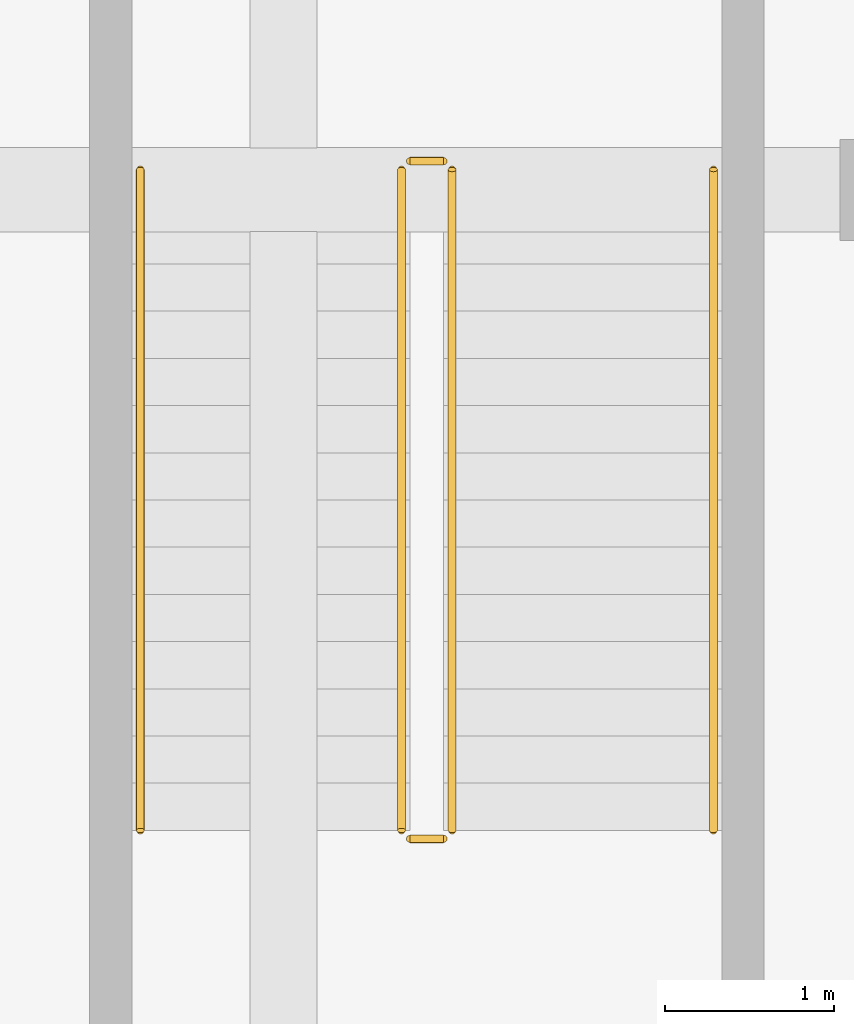
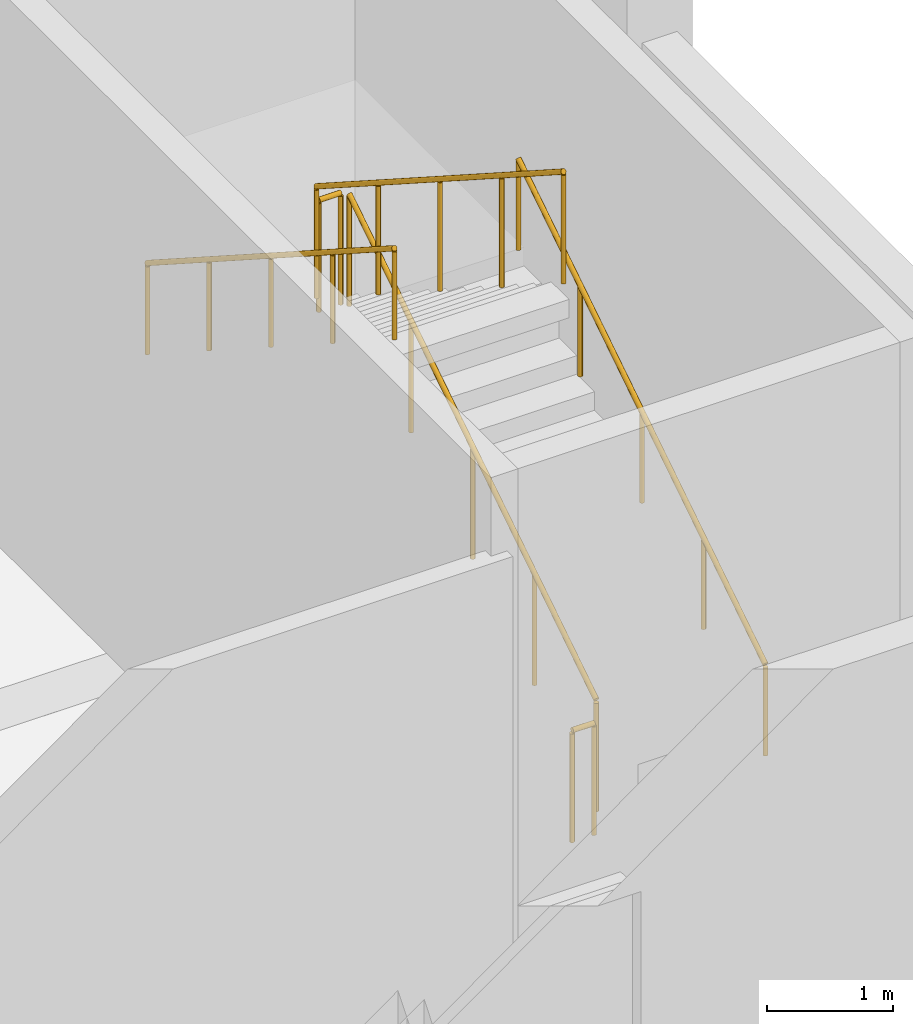
# One storey, part 37 of 41: 6 railings.
"""IFC4 building model written with IfcOpenShell, lengths in metres."""

import ifcopenshell
import ifcopenshell.guid

model = None  # the IFC model being written
_history = None  # IfcOwnerHistory: only IFC2X3 demands one
_inside = {}  # id of a spatial element -> (the spatial element, [elements in it])
_under = {}  # id of a project, library or spatial element -> (it, [spatial elements below it])
_declared = {}  # id of a project -> (the project, [libraries it declares])
_typed = {}  # id of a type object -> (the type object, [elements of that type])
_made_of = {}  # id of a material, layer set ... -> (it, [elements and type objects made of it])


def new_model(schema):
    """Start an empty IFC model of exactly this schema.

    Asked for "IFC4X3", IfcOpenShell would pick the latest addendum, in which some entities
    have other attributes; the version numbers below select the first issue.
    IFC2X3 requires an IfcOwnerHistory on every rooted entity: one is made here for all.
    """
    global model, _history
    if schema == "IFC4X3":
        model = ifcopenshell.file(schema_version=(4, 3, 0, 0))
    else:
        model = ifcopenshell.file(schema=schema)
    _inside.clear()
    _under.clear()
    _declared.clear()
    _typed.clear()
    _made_of.clear()
    _history = None
    if model.schema == "IFC2X3":
        org = make("IfcOrganization", Name="unknown")
        user = make(
            "IfcPersonAndOrganization",
            ThePerson=make("IfcPerson", FamilyName="unknown"),
            TheOrganization=org,
        )
        app = make(
            "IfcApplication",
            ApplicationDeveloper=org,
            Version="unknown",
            ApplicationFullName="unknown",
            ApplicationIdentifier="unknown",
        )
        _history = make(
            "IfcOwnerHistory",
            OwningUser=user,
            OwningApplication=app,
            ChangeAction="ADDED",
            CreationDate=0,
        )
    return model


def make(cls, **values):
    """One entity of the class cls with the attributes given. An attribute that is None is left unset."""
    return model.create_entity(
        cls, **{name: value for name, value in values.items() if value is not None}
    )


def rooted(cls, **values):
    """An entity with a GlobalId (a new one), such as an element, a storey or a relation."""
    return make(cls, GlobalId=ifcopenshell.guid.new(), OwnerHistory=_history, **values)


def si_unit(unit_type, name, prefix=None):
    """IfcSIUnit, for example si_unit("LENGTHUNIT", "METRE", prefix="MILLI")."""
    return make("IfcSIUnit", UnitType=unit_type, Prefix=prefix, Name=name)


def assignment(units):
    """IfcUnitAssignment: the units of a project."""
    return None if units is None else make("IfcUnitAssignment", Units=units)


def point(xyz):
    """IfcCartesianPoint."""
    return None if xyz is None else make("IfcCartesianPoint", Coordinates=xyz)


def direction(xyz):
    """IfcDirection."""
    return None if xyz is None else make("IfcDirection", DirectionRatios=xyz)


def frame(location, z_axis=None, x_axis=None):
    """IfcAxis2Placement3D, a coordinate frame: its origin and axes. An axis left out is left unset."""
    return make(
        "IfcAxis2Placement3D",
        Location=point(location),
        Axis=direction(z_axis),
        RefDirection=direction(x_axis),
    )


def frame_2d(location, x_axis=None):
    """IfcAxis2Placement2D, a coordinate frame in the plane: its origin and x axis."""
    return make(
        "IfcAxis2Placement2D", Location=point(location), RefDirection=direction(x_axis)
    )


def origin():
    """The frame at (0, 0, 0) with its axes left unset."""
    return frame((0.0, 0.0, 0.0))


def origin_2d():
    """The frame at (0, 0) in the plane with its x axis left unset."""
    return frame_2d((0.0, 0.0))


def place(relative_to, where):
    """IfcLocalPlacement: puts the frame where relative to a parent placement (None: the world)."""
    return make(
        "IfcLocalPlacement", PlacementRelTo=relative_to, RelativePlacement=where
    )


def context(
    kind, dimensions, precision=None, world=None, true_north=None, identifier=None
):
    """IfcGeometricRepresentationContext, for example the 3D "Model" context."""
    return make(
        "IfcGeometricRepresentationContext",
        ContextIdentifier=identifier,
        ContextType=kind,
        CoordinateSpaceDimension=dimensions,
        Precision=precision,
        WorldCoordinateSystem=world,
        TrueNorth=true_north,
    )


def subcontext(parent, identifier, kind, view, scale=None):
    """IfcGeometricRepresentationSubContext, for example "Body" below "Model"."""
    return make(
        "IfcGeometricRepresentationSubContext",
        ContextIdentifier=identifier,
        ContextType=kind,
        ParentContext=parent,
        TargetScale=scale,
        TargetView=view,
    )


def project(units=None, contexts=None):
    """IfcProject with its units and contexts."""
    return rooted(
        "IfcProject",
        Name="project",
        RepresentationContexts=contexts,
        UnitsInContext=assignment(units),
    )


def spatial(cls, under=None, at=None, **own):
    """A site, building, storey or space (cls), placed at a placement, below another one or the project."""
    s = rooted(cls, ObjectPlacement=at, **own)
    if under is not None:
        _under.setdefault(under.id(), (under, []))[1].append(s)
    return s


def profile(cls, at=None, kind="AREA", **sizes):
    """A parametric profile (cls). Its sizes go by their IFC names, for example OverallWidth=200.0."""
    return make(cls, ProfileType=kind, Position=at, **sizes)


def circle(**sizes):
    """IfcCircleProfileDef."""
    return profile("IfcCircleProfileDef", **sizes)


def extrude(swept, where, along, depth):
    """IfcExtrudedAreaSolid: the profile swept, set in the frame where, extruded along a direction by depth."""
    return make(
        "IfcExtrudedAreaSolid",
        SweptArea=swept,
        Position=where,
        ExtrudedDirection=direction(along),
        Depth=depth,
    )


def shape(context_of_items, identifier, shape_type, items):
    """IfcShapeRepresentation: the items that make up one representation, for example the "Body"."""
    return make(
        "IfcShapeRepresentation",
        ContextOfItems=context_of_items,
        RepresentationIdentifier=identifier,
        RepresentationType=shape_type,
        Items=items,
    )


def material(Name=None, Category=None):
    """IfcMaterial."""
    return make("IfcMaterial", Name=Name, Category=Category)


def made_of(thing, what):
    """Note that an element or type object is made of a material, layer set ...; save() writes the relation."""
    if what is not None:
        _made_of.setdefault(what.id(), (what, []))[1].append(thing)
    return thing


def type_object(cls, material=None, **own):
    """A type object (cls), such as IfcWallType, which elements share."""
    return made_of(rooted(cls, **own), material)


def element(
    cls,
    number,
    at=None,
    inside=None,
    cuts=None,
    type_object=None,
    material=None,
    context=None,
    identifier="Body",
    shape_type=None,
    held_by="IfcProductDefinitionShape",
    body=None,
    shapes=None,
    **own,
):
    """One element of the class cls, such as IfcWall. Its Tag is "e" and its number.

    at: its placement. inside: the storey or other place that contains it. cuts: it is an
    opening in that element (IfcRelVoidsElement). A single representation is given by context,
    identifier, shape_type and body (its items); several are given by shapes. held_by: the class
    of the entity that holds the representations. save() writes the other relations.
    """
    e = rooted(cls, Tag="e%d" % number, ObjectPlacement=at, **own)
    if body is not None:
        shapes = [shape(context, identifier, shape_type, body)]
    if shapes is not None:
        e.Representation = make(held_by, Representations=shapes)
    if inside is not None:
        _inside.setdefault(inside.id(), (inside, []))[1].append(e)
    if cuts is not None:
        rooted(
            "IfcRelVoidsElement", RelatingBuildingElement=cuts, RelatedOpeningElement=e
        )
    if type_object is not None:
        _typed.setdefault(type_object.id(), (type_object, []))[1].append(e)
    return made_of(e, material)


def aggregate(whole, parts):
    """IfcRelAggregates: a whole, such as a stair, and the parts it consists of."""
    return rooted("IfcRelAggregates", RelatingObject=whole, RelatedObjects=parts)


def save(model, path):
    """Write the relations noted so far, then the file.

    IfcRelAggregates (storeys below a building ...), IfcRelContainedInSpatialStructure (elements
    in a storey), IfcRelDefinesByType, IfcRelAssociatesMaterial and IfcRelDeclares: one each for
    every whole, place, type object, material and project.
    """
    for whole, parts in _under.values():
        aggregate(whole, parts)
    for where, things in _inside.values():
        rooted(
            "IfcRelContainedInSpatialStructure",
            RelatedElements=things,
            RelatingStructure=where,
        )
    for kind, things in _typed.values():
        rooted("IfcRelDefinesByType", RelatedObjects=things, RelatingType=kind)
    for what, things in _made_of.values():
        rooted("IfcRelAssociatesMaterial", RelatedObjects=things, RelatingMaterial=what)
    for by, libraries in _declared.values():
        rooted("IfcRelDeclares", RelatingContext=by, RelatedDefinitions=libraries)
    model.write(path)


model = new_model("IFC4")

# Units and contexts
model_context = context("Model", 3, precision=1e-05, world=origin(), true_north=direction((0.0, 1.0)))
body_context = subcontext(model_context, "Body", "Model", "MODEL_VIEW")
ifc_project = project(units=[si_unit("LENGTHUNIT", "METRE"), si_unit("AREAUNIT", "SQUARE_METRE"), si_unit("VOLUMEUNIT", "CUBIC_METRE"), si_unit("PLANEANGLEUNIT", "RADIAN"), si_unit("MASSUNIT", "GRAM", prefix="KILO")], contexts=[model_context])

# Site, building, storey
site_placement = place(None, origin())
site = spatial("IfcSite", under=ifc_project, at=site_placement, CompositionType="ELEMENT")
building_placement = place(site_placement, origin())
building = spatial("IfcBuilding", under=site, at=building_placement, Name="Kahlenmark Community Centre", CompositionType="ELEMENT")
storey_placement = place(building_placement, origin())
storey = spatial("IfcBuildingStorey", under=building, at=storey_placement, Name="L00", CompositionType="ELEMENT", Elevation=0.0)

# Railings
ifc_material_1 = material(Name="Brushed stainless steel 1.4301 handrail", Category="steel")
railing_type_1 = type_object("IfcRailingType", Name="RLT-HR-900", PredefinedType="HANDRAIL", material=ifc_material_1)
railing_1_placement = place(storey_placement, frame((85.75, 55.39990234375, 0.179931640625)))
element("IfcRailing", 1, at=railing_1_placement, inside=storey, type_object=railing_type_1, Name="L00 ST-06 stair handrail 1", PredefinedType="HANDRAIL", context=body_context, shape_type="SweptSolid", body=[
    extrude(circle(Radius=0.02392578125, at=origin_2d()), frame((0.0, 0.0, 0.8759765625), z_axis=(0.0, 0.841186985886, 0.540744352514), x_axis=(-1.0, 0.0, 0.0)), (0.0, 0.0, 1.0), 4.660400390625),
    extrude(circle(Radius=0.02099609375, at=origin_2d()), origin(), (0.0, 0.0, 1.0), 0.851806640625),
    extrude(circle(Radius=0.02099609375, at=origin_2d()), frame((0.0, 0.97998046875, 0.6298828125)), (0.0, 0.0, 1.0), 0.851806640625),
    extrude(circle(Radius=0.02099609375, at=origin_2d()), frame((0.0, 1.9599609375, 1.260009765625)), (0.0, 0.0, 1.0), 0.851806640625),
    extrude(circle(Radius=0.02099609375, at=origin_2d()), frame((0.0, 2.940185546875, 1.89013671875)), (0.0, 0.0, 1.0), 0.851806640625),
    extrude(circle(Radius=0.02099609375, at=origin_2d()), frame((0.0, 3.920166015625, 2.52001953125)), (0.0, 0.0, 1.0), 0.851806640625),
])
railing_2_placement = place(storey_placement, frame((82.35009765625, 59.320068359375, 2.8798828125)))
element("IfcRailing", 2, at=railing_2_placement, inside=storey, type_object=railing_type_1, Name="L00 ST-06 stair handrail 2", PredefinedType="HANDRAIL", context=body_context, shape_type="SweptSolid", body=[
    extrude(circle(Radius=0.02392578125, at=origin_2d()), frame((0.0, 0.0, 0.8759765625), z_axis=(0.0, -0.841186985886, 0.540744352514), x_axis=(1.0, 0.0, 0.0)), (0.0, 0.0, 1.0), 4.660400390625),
    extrude(circle(Radius=0.02099609375, at=origin_2d()), origin(), (0.0, 0.0, 1.0), 0.851806640625),
    extrude(circle(Radius=0.02099609375, at=origin_2d()), frame((0.0, -0.97998046875, 0.6298828125)), (0.0, 0.0, 1.0), 0.851806640625),
    extrude(circle(Radius=0.02099609375, at=origin_2d()), frame((0.0, -1.9599609375, 1.260009765625)), (0.0, 0.0, 1.0), 0.851806640625),
    extrude(circle(Radius=0.02099609375, at=origin_2d()), frame((0.0, -2.940185546875, 1.89013671875)), (0.0, 0.0, 1.0), 0.851806640625),
    extrude(circle(Radius=0.02099609375, at=origin_2d()), frame((0.0, -3.920166015625, 2.52001953125)), (0.0, 0.0, 1.0), 0.851806640625),
])
ifc_material_2 = material(Name="Powder-coated steel stair well guard", Category="steel")
railing_type_2 = type_object("IfcRailingType", Name="RLT-SG-1120", PredefinedType="GUARDRAIL", material=ifc_material_2)
railing_3_placement = place(storey_placement, frame((84.199951171875, 55.39990234375, 0.179931640625)))
element("IfcRailing", 3, at=railing_3_placement, inside=storey, type_object=railing_type_2, Name="L00 ST-06 stair guard 1", PredefinedType="GUARDRAIL", context=body_context, shape_type="SweptSolid", body=[
    extrude(circle(Radius=0.02392578125, at=origin_2d()), frame((0.0, 0.0, 1.076171875), z_axis=(0.0, 0.841186985886, 0.540744352514), x_axis=(-1.0, 0.0, 0.0)), (0.0, 0.0, 1.0), 4.660400390625),
    extrude(circle(Radius=0.02099609375, at=origin_2d()), origin(), (0.0, 0.0, 1.0), 1.052001953125),
    extrude(circle(Radius=0.02099609375, at=origin_2d()), frame((0.0, 0.97998046875, 0.6298828125)), (0.0, 0.0, 1.0), 1.052001953125),
    extrude(circle(Radius=0.02099609375, at=origin_2d()), frame((0.0, 1.9599609375, 1.260009765625)), (0.0, 0.0, 1.0), 1.052001953125),
    extrude(circle(Radius=0.02099609375, at=origin_2d()), frame((0.0, 2.940185546875, 1.89013671875)), (0.0, 0.0, 1.0), 1.052001953125),
    extrude(circle(Radius=0.02099609375, at=origin_2d()), frame((0.0, 3.920166015625, 2.52001953125)), (0.0, 0.0, 1.0), 1.052001953125),
])
railing_4_placement = place(storey_placement, frame((84.14990234375, 59.3701171875, 2.699951171875)))
element("IfcRailing", 4, at=railing_4_placement, inside=storey, type_object=railing_type_2, Name="L00 ST-06 stair guard 2", PredefinedType="GUARDRAIL", context=body_context, shape_type="SweptSolid", body=[
    extrude(circle(Radius=0.02392578125, at=origin_2d()), frame((0.0, 0.0, 1.076171875), z_axis=(-1.0, 0.0, 0.0), x_axis=(0.0, -1.0, 0.0)), (0.0, 0.0, 1.0), 0.199951171875),
    extrude(circle(Radius=0.02099609375, at=origin_2d()), origin(), (0.0, 0.0, 1.0), 1.052001953125),
    extrude(circle(Radius=0.02099609375, at=origin_2d()), frame((-0.199951171875, 0.0, 0.0)), (0.0, 0.0, 1.0), 1.052001953125),
])
railing_5_placement = place(storey_placement, frame((83.89990234375, 59.320068359375, 2.8798828125)))
element("IfcRailing", 5, at=railing_5_placement, inside=storey, type_object=railing_type_2, Name="L00 ST-06 stair guard 3", PredefinedType="GUARDRAIL", context=body_context, shape_type="SweptSolid", body=[
    extrude(circle(Radius=0.02392578125, at=origin_2d()), frame((0.0, 0.0, 1.076171875), z_axis=(0.0, -0.841186985886, 0.540744352514), x_axis=(1.0, 0.0, 0.0)), (0.0, 0.0, 1.0), 4.660400390625),
    extrude(circle(Radius=0.02099609375, at=origin_2d()), origin(), (0.0, 0.0, 1.0), 1.052001953125),
    extrude(circle(Radius=0.02099609375, at=origin_2d()), frame((0.0, -0.97998046875, 0.6298828125)), (0.0, 0.0, 1.0), 1.052001953125),
    extrude(circle(Radius=0.02099609375, at=origin_2d()), frame((0.0, -1.9599609375, 1.260009765625)), (0.0, 0.0, 1.0), 1.052001953125),
    extrude(circle(Radius=0.02099609375, at=origin_2d()), frame((0.0, -2.940185546875, 1.89013671875)), (0.0, 0.0, 1.0), 1.052001953125),
    extrude(circle(Radius=0.02099609375, at=origin_2d()), frame((0.0, -3.920166015625, 2.52001953125)), (0.0, 0.0, 1.0), 1.052001953125),
])
railing_6_placement = place(storey_placement, frame((84.14990234375, 55.35009765625, 0.0)))
element("IfcRailing", 6, at=railing_6_placement, inside=storey, type_object=railing_type_2, Name="L00 ST-06 stair guard 4", PredefinedType="GUARDRAIL", context=body_context, shape_type="SweptSolid", body=[
    extrude(circle(Radius=0.02392578125, at=origin_2d()), frame((0.0, 0.0, 1.076171875), z_axis=(-1.0, 0.0, 0.0), x_axis=(0.0, -1.0, 0.0)), (0.0, 0.0, 1.0), 0.199951171875),
    extrude(circle(Radius=0.02099609375, at=origin_2d()), origin(), (0.0, 0.0, 1.0), 1.052001953125),
    extrude(circle(Radius=0.02099609375, at=origin_2d()), frame((-0.199951171875, 0.0, 0.0)), (0.0, 0.0, 1.0), 1.052001953125),
])

save(model, "model.ifc")
